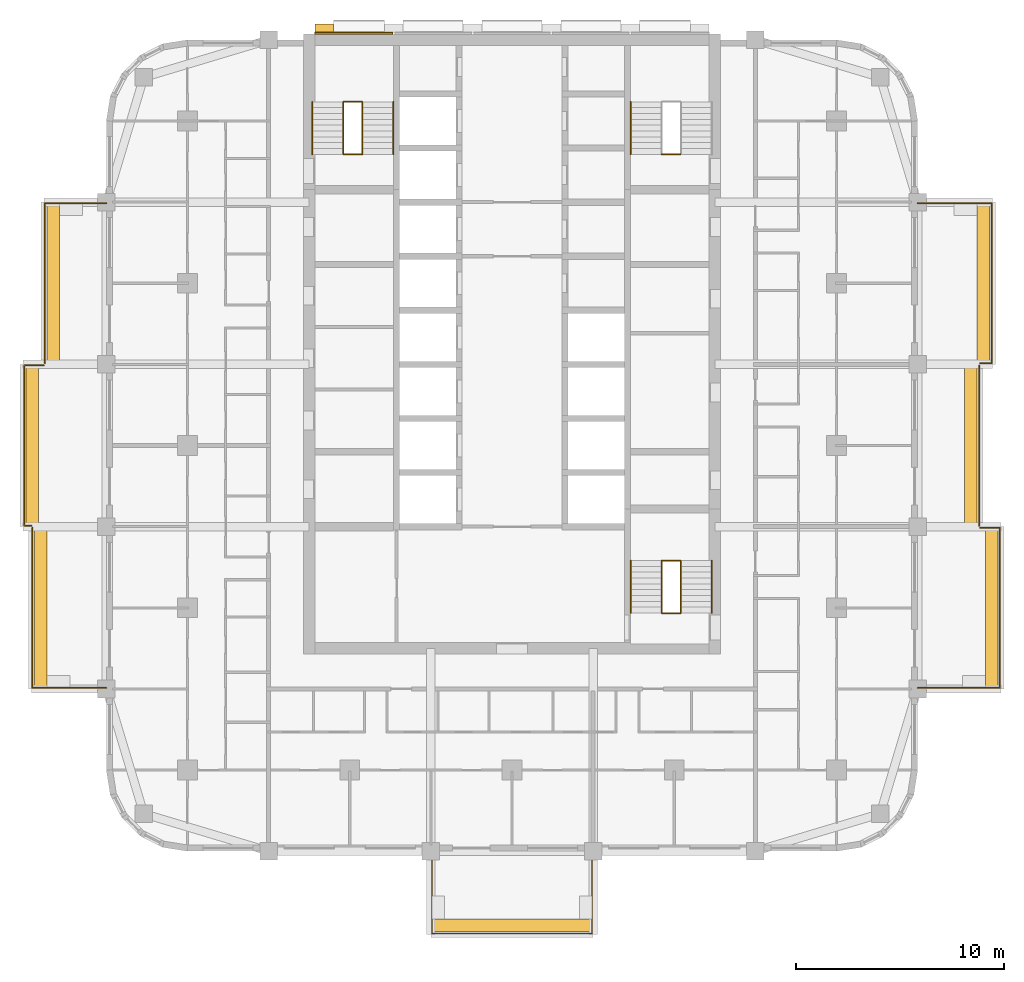
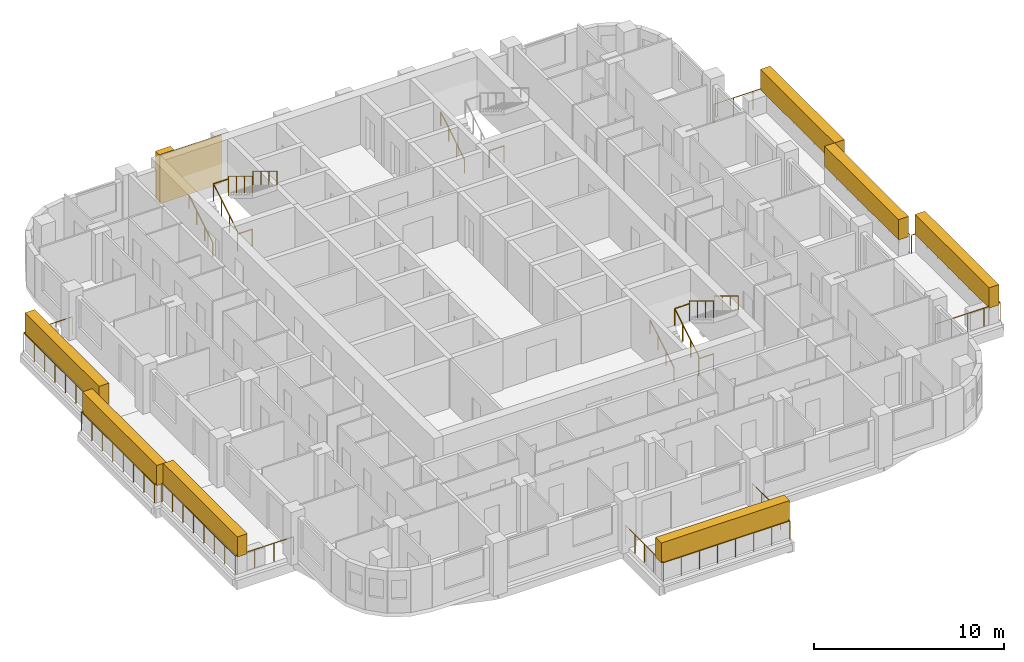
# One storey, part 13 of 14: 21 railings, 9 coverings, 3 elements without a shape of their own.
"""IFC4 building model written with IfcOpenShell, lengths in metres."""

import ifcopenshell
import ifcopenshell.guid

model = None  # the IFC model being written
_history = None  # IfcOwnerHistory: only IFC2X3 demands one
_inside = {}  # id of a spatial element -> (the spatial element, [elements in it])
_under = {}  # id of a project, library or spatial element -> (it, [spatial elements below it])
_declared = {}  # id of a project -> (the project, [libraries it declares])
_typed = {}  # id of a type object -> (the type object, [elements of that type])
_made_of = {}  # id of a material, layer set ... -> (it, [elements and type objects made of it])


def new_model(schema):
    """Start an empty IFC model of exactly this schema.

    Asked for "IFC4X3", IfcOpenShell would pick the latest addendum, in which some entities
    have other attributes; the version numbers below select the first issue.
    IFC2X3 requires an IfcOwnerHistory on every rooted entity: one is made here for all.
    """
    global model, _history
    if schema == "IFC4X3":
        model = ifcopenshell.file(schema_version=(4, 3, 0, 0))
    else:
        model = ifcopenshell.file(schema=schema)
    _inside.clear()
    _under.clear()
    _declared.clear()
    _typed.clear()
    _made_of.clear()
    _history = None
    if model.schema == "IFC2X3":
        org = make("IfcOrganization", Name="unknown")
        user = make(
            "IfcPersonAndOrganization",
            ThePerson=make("IfcPerson", FamilyName="unknown"),
            TheOrganization=org,
        )
        app = make(
            "IfcApplication",
            ApplicationDeveloper=org,
            Version="unknown",
            ApplicationFullName="unknown",
            ApplicationIdentifier="unknown",
        )
        _history = make(
            "IfcOwnerHistory",
            OwningUser=user,
            OwningApplication=app,
            ChangeAction="ADDED",
            CreationDate=0,
        )
    return model


def make(cls, **values):
    """One entity of the class cls with the attributes given. An attribute that is None is left unset."""
    return model.create_entity(
        cls, **{name: value for name, value in values.items() if value is not None}
    )


def rooted(cls, **values):
    """An entity with a GlobalId (a new one), such as an element, a storey or a relation."""
    return make(cls, GlobalId=ifcopenshell.guid.new(), OwnerHistory=_history, **values)


def si_unit(unit_type, name, prefix=None):
    """IfcSIUnit, for example si_unit("LENGTHUNIT", "METRE", prefix="MILLI")."""
    return make("IfcSIUnit", UnitType=unit_type, Prefix=prefix, Name=name)


def assignment(units):
    """IfcUnitAssignment: the units of a project."""
    return None if units is None else make("IfcUnitAssignment", Units=units)


def point(xyz):
    """IfcCartesianPoint."""
    return None if xyz is None else make("IfcCartesianPoint", Coordinates=xyz)


def direction(xyz):
    """IfcDirection."""
    return None if xyz is None else make("IfcDirection", DirectionRatios=xyz)


def frame(location, z_axis=None, x_axis=None):
    """IfcAxis2Placement3D, a coordinate frame: its origin and axes. An axis left out is left unset."""
    return make(
        "IfcAxis2Placement3D",
        Location=point(location),
        Axis=direction(z_axis),
        RefDirection=direction(x_axis),
    )


def frame_2d(location, x_axis=None):
    """IfcAxis2Placement2D, a coordinate frame in the plane: its origin and x axis."""
    return make(
        "IfcAxis2Placement2D", Location=point(location), RefDirection=direction(x_axis)
    )


def origin():
    """The frame at (0, 0, 0) with its axes left unset."""
    return frame((0.0, 0.0, 0.0))


def origin_2d():
    """The frame at (0, 0) in the plane with its x axis left unset."""
    return frame_2d((0.0, 0.0))


def place(relative_to, where):
    """IfcLocalPlacement: puts the frame where relative to a parent placement (None: the world)."""
    return make(
        "IfcLocalPlacement", PlacementRelTo=relative_to, RelativePlacement=where
    )


def context(
    kind, dimensions, precision=None, world=None, true_north=None, identifier=None
):
    """IfcGeometricRepresentationContext, for example the 3D "Model" context."""
    return make(
        "IfcGeometricRepresentationContext",
        ContextIdentifier=identifier,
        ContextType=kind,
        CoordinateSpaceDimension=dimensions,
        Precision=precision,
        WorldCoordinateSystem=world,
        TrueNorth=true_north,
    )


def subcontext(parent, identifier, kind, view, scale=None):
    """IfcGeometricRepresentationSubContext, for example "Body" below "Model"."""
    return make(
        "IfcGeometricRepresentationSubContext",
        ContextIdentifier=identifier,
        ContextType=kind,
        ParentContext=parent,
        TargetScale=scale,
        TargetView=view,
    )


def project(units=None, contexts=None):
    """IfcProject with its units and contexts."""
    return rooted(
        "IfcProject",
        Name="project",
        RepresentationContexts=contexts,
        UnitsInContext=assignment(units),
    )


def spatial(cls, under=None, at=None, **own):
    """A site, building, storey or space (cls), placed at a placement, below another one or the project."""
    s = rooted(cls, ObjectPlacement=at, **own)
    if under is not None:
        _under.setdefault(under.id(), (under, []))[1].append(s)
    return s


def profile(cls, at=None, kind="AREA", **sizes):
    """A parametric profile (cls). Its sizes go by their IFC names, for example OverallWidth=200.0."""
    return make(cls, ProfileType=kind, Position=at, **sizes)


def rectangle(**sizes):
    """IfcRectangleProfileDef."""
    return profile("IfcRectangleProfileDef", **sizes)


def circle(**sizes):
    """IfcCircleProfileDef."""
    return profile("IfcCircleProfileDef", **sizes)


def extrude(swept, where, along, depth):
    """IfcExtrudedAreaSolid: the profile swept, set in the frame where, extruded along a direction by depth."""
    return make(
        "IfcExtrudedAreaSolid",
        SweptArea=swept,
        Position=where,
        ExtrudedDirection=direction(along),
        Depth=depth,
    )


def shape(context_of_items, identifier, shape_type, items):
    """IfcShapeRepresentation: the items that make up one representation, for example the "Body"."""
    return make(
        "IfcShapeRepresentation",
        ContextOfItems=context_of_items,
        RepresentationIdentifier=identifier,
        RepresentationType=shape_type,
        Items=items,
    )


def material(Name=None, Category=None):
    """IfcMaterial."""
    return make("IfcMaterial", Name=Name, Category=Category)


def layer(
    of_material, thickness, ventilated=None, Name=None, Category=None, Priority=None
):
    """IfcMaterialLayer: one layer of a wall or slab, of a material (None: an air gap)."""
    return make(
        "IfcMaterialLayer",
        Material=of_material,
        LayerThickness=thickness,
        IsVentilated=ventilated,
        Name=Name,
        Category=Category,
        Priority=Priority,
    )


def layer_set(layers, Name=None):
    """IfcMaterialLayerSet."""
    return make("IfcMaterialLayerSet", MaterialLayers=layers, LayerSetName=Name)


def made_of(thing, what):
    """Note that an element or type object is made of a material, layer set ...; save() writes the relation."""
    if what is not None:
        _made_of.setdefault(what.id(), (what, []))[1].append(thing)
    return thing


def type_object(cls, material=None, **own):
    """A type object (cls), such as IfcWallType, which elements share."""
    return made_of(rooted(cls, **own), material)


def element(
    cls,
    number,
    at=None,
    inside=None,
    cuts=None,
    type_object=None,
    material=None,
    context=None,
    identifier="Body",
    shape_type=None,
    held_by="IfcProductDefinitionShape",
    body=None,
    shapes=None,
    **own,
):
    """One element of the class cls, such as IfcWall. Its Tag is "e" and its number.

    at: its placement. inside: the storey or other place that contains it. cuts: it is an
    opening in that element (IfcRelVoidsElement). A single representation is given by context,
    identifier, shape_type and body (its items); several are given by shapes. held_by: the class
    of the entity that holds the representations. save() writes the other relations.
    """
    e = rooted(cls, Tag="e%d" % number, ObjectPlacement=at, **own)
    if body is not None:
        shapes = [shape(context, identifier, shape_type, body)]
    if shapes is not None:
        e.Representation = make(held_by, Representations=shapes)
    if inside is not None:
        _inside.setdefault(inside.id(), (inside, []))[1].append(e)
    if cuts is not None:
        rooted(
            "IfcRelVoidsElement", RelatingBuildingElement=cuts, RelatedOpeningElement=e
        )
    if type_object is not None:
        _typed.setdefault(type_object.id(), (type_object, []))[1].append(e)
    return made_of(e, material)


def aggregate(whole, parts):
    """IfcRelAggregates: a whole, such as a stair, and the parts it consists of."""
    return rooted("IfcRelAggregates", RelatingObject=whole, RelatedObjects=parts)


def save(model, path):
    """Write the relations noted so far, then the file.

    IfcRelAggregates (storeys below a building ...), IfcRelContainedInSpatialStructure (elements
    in a storey), IfcRelDefinesByType, IfcRelAssociatesMaterial and IfcRelDeclares: one each for
    every whole, place, type object, material and project.
    """
    for whole, parts in _under.values():
        aggregate(whole, parts)
    for where, things in _inside.values():
        rooted(
            "IfcRelContainedInSpatialStructure",
            RelatedElements=things,
            RelatingStructure=where,
        )
    for kind, things in _typed.values():
        rooted("IfcRelDefinesByType", RelatedObjects=things, RelatingType=kind)
    for what, things in _made_of.values():
        rooted("IfcRelAssociatesMaterial", RelatedObjects=things, RelatingMaterial=what)
    for by, libraries in _declared.values():
        rooted("IfcRelDeclares", RelatingContext=by, RelatedDefinitions=libraries)
    model.write(path)


model = new_model("IFC4")

# Units and contexts
model_context = context("Model", 3, precision=1e-05, world=origin(), true_north=direction((0.0, 1.0)))
body_context = subcontext(model_context, "Body", "Model", "MODEL_VIEW")
ifc_project = project(units=[si_unit("LENGTHUNIT", "METRE"), si_unit("AREAUNIT", "SQUARE_METRE"), si_unit("VOLUMEUNIT", "CUBIC_METRE"), si_unit("PLANEANGLEUNIT", "RADIAN"), si_unit("MASSUNIT", "GRAM", prefix="KILO")], contexts=[model_context])

# Site, building, storey
site_placement = place(None, origin())
site = spatial("IfcSite", under=ifc_project, at=site_placement, CompositionType="ELEMENT")
building_placement = place(site_placement, origin())
building = spatial("IfcBuilding", under=site, at=building_placement, Name="Ludao Terraces", CompositionType="ELEMENT")
storey_placement = place(building_placement, frame((0.0, 0.0, 103.300048828125)))
storey = spatial("IfcBuildingStorey", under=building, at=storey_placement, Name="L28", CompositionType="ELEMENT", Elevation=103.300048828125)

# Railings
ifc_material_1 = material(Name="Stainless steel 304", Category="steel")
railing_type_1 = type_object("IfcRailingType", Name="ENV Balcony glass guard 1200", PredefinedType="GUARDRAIL", material=ifc_material_1)
railing_1_placement = place(storey_placement, frame((81.14990234375, 45.5, 0.0)))
element("IfcRailing", 1, at=railing_1_placement, inside=storey, type_object=railing_type_1, Name="Balcony guard L28 S1", PredefinedType="GUARDRAIL", context=body_context, shape_type="SweptSolid", body=[
    extrude(circle(Radius=0.02392578125, at=origin_2d()), frame((0.0, 0.0, 1.17578125), z_axis=(0.0, -1.0, 0.0), x_axis=(1.0, 0.0, 0.0)), (0.0, 0.0, 1.0), 3.949951171875),
    extrude(circle(Radius=0.02392578125, at=origin_2d()), frame((0.0, -3.949951171875, 1.17578125), z_axis=(1.0, 0.0, 0.0), x_axis=(0.0, 1.0, 0.0)), (0.0, 0.0, 1.0), 7.7001953125),
    extrude(circle(Radius=0.02392578125, at=origin_2d()), frame((7.7001953125, -3.949951171875, 1.17578125), z_axis=(0.0, 1.0, 0.0), x_axis=(-1.0, 0.0, 0.0)), (0.0, 0.0, 1.0), 3.949951171875),
    extrude(circle(Radius=0.02099609375, at=origin_2d()), origin(), (0.0, 0.0, 1.0), 1.15185546875),
    extrude(circle(Radius=0.02099609375, at=origin_2d()), frame((0.0, -0.987548828125, 0.0)), (0.0, 0.0, 1.0), 1.15185546875),
    extrude(circle(Radius=0.02099609375, at=origin_2d()), frame((0.0, -1.97509765625, 0.0)), (0.0, 0.0, 1.0), 1.15185546875),
    extrude(circle(Radius=0.02099609375, at=origin_2d()), frame((0.0, -2.96240234375, 0.0)), (0.0, 0.0, 1.0), 1.15185546875),
    extrude(circle(Radius=0.02099609375, at=origin_2d()), frame((0.0, -3.949951171875, 0.0)), (0.0, 0.0, 1.0), 1.15185546875),
    extrude(circle(Radius=0.02099609375, at=origin_2d()), frame((1.10009765625, -3.949951171875, 0.0)), (0.0, 0.0, 1.0), 1.15185546875),
    extrude(circle(Radius=0.02099609375, at=origin_2d()), frame((2.199951171875, -3.949951171875, 0.0)), (0.0, 0.0, 1.0), 1.15185546875),
    extrude(circle(Radius=0.02099609375, at=origin_2d()), frame((3.300048828125, -3.949951171875, 0.0)), (0.0, 0.0, 1.0), 1.15185546875),
    extrude(circle(Radius=0.02099609375, at=origin_2d()), frame((4.400146484375, -3.949951171875, 0.0)), (0.0, 0.0, 1.0), 1.15185546875),
    extrude(circle(Radius=0.02099609375, at=origin_2d()), frame((5.500244140625, -3.949951171875, 0.0)), (0.0, 0.0, 1.0), 1.15185546875),
    extrude(circle(Radius=0.02099609375, at=origin_2d()), frame((6.60009765625, -3.949951171875, 0.0)), (0.0, 0.0, 1.0), 1.15185546875),
    extrude(circle(Radius=0.02099609375, at=origin_2d()), frame((7.7001953125, -3.949951171875, 0.0)), (0.0, 0.0, 1.0), 1.15185546875),
    extrude(circle(Radius=0.02099609375, at=origin_2d()), frame((7.7001953125, -2.96240234375, 0.0)), (0.0, 0.0, 1.0), 1.15185546875),
    extrude(circle(Radius=0.02099609375, at=origin_2d()), frame((7.7001953125, -1.97509765625, 0.0)), (0.0, 0.0, 1.0), 1.15185546875),
    extrude(circle(Radius=0.02099609375, at=origin_2d()), frame((7.7001953125, -0.987548828125, 0.0)), (0.0, 0.0, 1.0), 1.15185546875),
    extrude(circle(Radius=0.02099609375, at=origin_2d()), frame((7.7001953125, 0.0, 0.0)), (0.0, 0.0, 1.0), 1.15185546875),
])
railing_2_placement = place(storey_placement, frame((104.5, 53.35009765625, 0.0)))
element("IfcRailing", 2, at=railing_2_placement, inside=storey, type_object=railing_type_1, Name="Balcony guard L28 E1", PredefinedType="GUARDRAIL", context=body_context, shape_type="SweptSolid", body=[
    extrude(circle(Radius=0.02392578125, at=origin_2d()), frame((0.0, 0.0, 1.17578125), z_axis=(1.0, 0.0, 0.0), x_axis=(0.0, 1.0, 0.0)), (0.0, 0.0, 1.0), 3.949951171875),
    extrude(circle(Radius=0.02392578125, at=origin_2d()), frame((3.949951171875, 0.0, 1.17578125), z_axis=(0.0, 1.0, 0.0), x_axis=(-1.0, 0.0, 0.0)), (0.0, 0.0, 1.0), 7.699951171875),
    extrude(circle(Radius=0.02392578125, at=origin_2d()), frame((3.949951171875, 7.699951171875, 1.17578125), z_axis=(-1.0, 0.0, 0.0), x_axis=(0.0, -1.0, 0.0)), (0.0, 0.0, 1.0), 0.949951171875),
    extrude(circle(Radius=0.02099609375, at=origin_2d()), origin(), (0.0, 0.0, 1.0), 1.15185546875),
    extrude(circle(Radius=0.02099609375, at=origin_2d()), frame((0.987548828125, 0.0, 0.0)), (0.0, 0.0, 1.0), 1.15185546875),
    extrude(circle(Radius=0.02099609375, at=origin_2d()), frame((1.97509765625, 0.0, 0.0)), (0.0, 0.0, 1.0), 1.15185546875),
    extrude(circle(Radius=0.02099609375, at=origin_2d()), frame((2.96240234375, 0.0, 0.0)), (0.0, 0.0, 1.0), 1.15185546875),
    extrude(circle(Radius=0.02099609375, at=origin_2d()), frame((3.949951171875, 0.0, 0.0)), (0.0, 0.0, 1.0), 1.15185546875),
    extrude(circle(Radius=0.02099609375, at=origin_2d()), frame((3.949951171875, 1.10009765625, 0.0)), (0.0, 0.0, 1.0), 1.15185546875),
    extrude(circle(Radius=0.02099609375, at=origin_2d()), frame((3.949951171875, 2.199951171875, 0.0)), (0.0, 0.0, 1.0), 1.15185546875),
    extrude(circle(Radius=0.02099609375, at=origin_2d()), frame((3.949951171875, 3.300048828125, 0.0)), (0.0, 0.0, 1.0), 1.15185546875),
    extrude(circle(Radius=0.02099609375, at=origin_2d()), frame((3.949951171875, 4.39990234375, 0.0)), (0.0, 0.0, 1.0), 1.15185546875),
    extrude(circle(Radius=0.02099609375, at=origin_2d()), frame((3.949951171875, 5.5, 0.0)), (0.0, 0.0, 1.0), 1.15185546875),
    extrude(circle(Radius=0.02099609375, at=origin_2d()), frame((3.949951171875, 6.599853515625, 0.0)), (0.0, 0.0, 1.0), 1.15185546875),
    extrude(circle(Radius=0.02099609375, at=origin_2d()), frame((3.949951171875, 7.699951171875, 0.0)), (0.0, 0.0, 1.0), 1.15185546875),
    extrude(circle(Radius=0.02099609375, at=origin_2d()), frame((3.0, 7.699951171875, 0.0)), (0.0, 0.0, 1.0), 1.15185546875),
])
railing_3_placement = place(storey_placement, frame((107.449951171875, 61.14990234375, 0.0)))
element("IfcRailing", 3, at=railing_3_placement, inside=storey, type_object=railing_type_1, Name="Balcony guard L28 E2", PredefinedType="GUARDRAIL", context=body_context, shape_type="SweptSolid", body=[
    extrude(circle(Radius=0.02392578125, at=origin_2d()), frame((0.0, 0.0, 1.17578125), z_axis=(0.0, 1.0, 0.0), x_axis=(-1.0, 0.0, 0.0)), (0.0, 0.0, 1.0), 7.7001953125),
    extrude(circle(Radius=0.02099609375, at=origin_2d()), origin(), (0.0, 0.0, 1.0), 1.15185546875),
    extrude(circle(Radius=0.02099609375, at=origin_2d()), frame((0.0, 1.10009765625, 0.0)), (0.0, 0.0, 1.0), 1.15185546875),
    extrude(circle(Radius=0.02099609375, at=origin_2d()), frame((0.0, 2.199951171875, 0.0)), (0.0, 0.0, 1.0), 1.15185546875),
    extrude(circle(Radius=0.02099609375, at=origin_2d()), frame((0.0, 3.300048828125, 0.0)), (0.0, 0.0, 1.0), 1.15185546875),
    extrude(circle(Radius=0.02099609375, at=origin_2d()), frame((0.0, 4.400146484375, 0.0)), (0.0, 0.0, 1.0), 1.15185546875),
    extrude(circle(Radius=0.02099609375, at=origin_2d()), frame((0.0, 5.500244140625, 0.0)), (0.0, 0.0, 1.0), 1.15185546875),
    extrude(circle(Radius=0.02099609375, at=origin_2d()), frame((0.0, 6.60009765625, 0.0)), (0.0, 0.0, 1.0), 1.15185546875),
    extrude(circle(Radius=0.02099609375, at=origin_2d()), frame((0.0, 7.7001953125, 0.0)), (0.0, 0.0, 1.0), 1.15185546875),
])
railing_4_placement = place(storey_placement, frame((107.5, 68.949951171875, 0.0)))
element("IfcRailing", 4, at=railing_4_placement, inside=storey, type_object=railing_type_1, Name="Balcony guard L28 E3", PredefinedType="GUARDRAIL", context=body_context, shape_type="SweptSolid", body=[
    extrude(circle(Radius=0.02392578125, at=origin_2d()), frame((0.0, 0.0, 1.17578125), z_axis=(1.0, 0.0, 0.0), x_axis=(0.0, 1.0, 0.0)), (0.0, 0.0, 1.0), 0.550048828125),
    extrude(circle(Radius=0.02392578125, at=origin_2d()), frame((0.550048828125, 0.0, 1.17578125), z_axis=(0.0, 1.0, 0.0), x_axis=(-1.0, 0.0, 0.0)), (0.0, 0.0, 1.0), 7.699951171875),
    extrude(circle(Radius=0.02392578125, at=origin_2d()), frame((0.550048828125, 7.699951171875, 1.17578125), z_axis=(-1.0, 0.0, 0.0), x_axis=(0.0, -1.0, 0.0)), (0.0, 0.0, 1.0), 3.550048828125),
    extrude(circle(Radius=0.02099609375, at=origin_2d()), origin(), (0.0, 0.0, 1.0), 1.15185546875),
    extrude(circle(Radius=0.02099609375, at=origin_2d()), frame((0.550048828125, 0.0, 0.0)), (0.0, 0.0, 1.0), 1.15185546875),
    extrude(circle(Radius=0.02099609375, at=origin_2d()), frame((0.550048828125, 1.10009765625, 0.0)), (0.0, 0.0, 1.0), 1.15185546875),
    extrude(circle(Radius=0.02099609375, at=origin_2d()), frame((0.550048828125, 2.199951171875, 0.0)), (0.0, 0.0, 1.0), 1.15185546875),
    extrude(circle(Radius=0.02099609375, at=origin_2d()), frame((0.550048828125, 3.300048828125, 0.0)), (0.0, 0.0, 1.0), 1.15185546875),
    extrude(circle(Radius=0.02099609375, at=origin_2d()), frame((0.550048828125, 4.39990234375, 0.0)), (0.0, 0.0, 1.0), 1.15185546875),
    extrude(circle(Radius=0.02099609375, at=origin_2d()), frame((0.550048828125, 5.5, 0.0)), (0.0, 0.0, 1.0), 1.15185546875),
    extrude(circle(Radius=0.02099609375, at=origin_2d()), frame((0.550048828125, 6.599853515625, 0.0)), (0.0, 0.0, 1.0), 1.15185546875),
    extrude(circle(Radius=0.02099609375, at=origin_2d()), frame((0.550048828125, 7.699951171875, 0.0)), (0.0, 0.0, 1.0), 1.15185546875),
    extrude(circle(Radius=0.02099609375, at=origin_2d()), frame((-0.63330078125, 7.699951171875, 0.0)), (0.0, 0.0, 1.0), 1.15185546875),
    extrude(circle(Radius=0.02099609375, at=origin_2d()), frame((-1.816650390625, 7.699951171875, 0.0)), (0.0, 0.0, 1.0), 1.15185546875),
    extrude(circle(Radius=0.02099609375, at=origin_2d()), frame((-3.0, 7.699951171875, 0.0)), (0.0, 0.0, 1.0), 1.15185546875),
])
railing_5_placement = place(storey_placement, frame((65.5, 53.35009765625, 0.0)))
element("IfcRailing", 5, at=railing_5_placement, inside=storey, type_object=railing_type_1, Name="Balcony guard L28 W1", PredefinedType="GUARDRAIL", context=body_context, shape_type="SweptSolid", body=[
    extrude(circle(Radius=0.02392578125, at=origin_2d()), frame((0.0, 0.0, 1.17578125), z_axis=(-1.0, 0.0, 0.0), x_axis=(0.0, -1.0, 0.0)), (0.0, 0.0, 1.0), 3.550048828125),
    extrude(circle(Radius=0.02392578125, at=origin_2d()), frame((-3.550048828125, 0.0, 1.17578125), z_axis=(0.0, 1.0, 0.0), x_axis=(-1.0, 0.0, 0.0)), (0.0, 0.0, 1.0), 7.699951171875),
    extrude(circle(Radius=0.02099609375, at=origin_2d()), origin(), (0.0, 0.0, 1.0), 1.15185546875),
    extrude(circle(Radius=0.02099609375, at=origin_2d()), frame((-1.183349609375, 0.0, 0.0)), (0.0, 0.0, 1.0), 1.15185546875),
    extrude(circle(Radius=0.02099609375, at=origin_2d()), frame((-2.36669921875, 0.0, 0.0)), (0.0, 0.0, 1.0), 1.15185546875),
    extrude(circle(Radius=0.02099609375, at=origin_2d()), frame((-3.550048828125, 0.0, 0.0)), (0.0, 0.0, 1.0), 1.15185546875),
    extrude(circle(Radius=0.02099609375, at=origin_2d()), frame((-3.550048828125, 1.10009765625, 0.0)), (0.0, 0.0, 1.0), 1.15185546875),
    extrude(circle(Radius=0.02099609375, at=origin_2d()), frame((-3.550048828125, 2.199951171875, 0.0)), (0.0, 0.0, 1.0), 1.15185546875),
    extrude(circle(Radius=0.02099609375, at=origin_2d()), frame((-3.550048828125, 3.300048828125, 0.0)), (0.0, 0.0, 1.0), 1.15185546875),
    extrude(circle(Radius=0.02099609375, at=origin_2d()), frame((-3.550048828125, 4.39990234375, 0.0)), (0.0, 0.0, 1.0), 1.15185546875),
    extrude(circle(Radius=0.02099609375, at=origin_2d()), frame((-3.550048828125, 5.5, 0.0)), (0.0, 0.0, 1.0), 1.15185546875),
    extrude(circle(Radius=0.02099609375, at=origin_2d()), frame((-3.550048828125, 6.599853515625, 0.0)), (0.0, 0.0, 1.0), 1.15185546875),
    extrude(circle(Radius=0.02099609375, at=origin_2d()), frame((-3.550048828125, 7.699951171875, 0.0)), (0.0, 0.0, 1.0), 1.15185546875),
])
railing_6_placement = place(storey_placement, frame((61.89990234375, 61.14990234375, 0.0)))
element("IfcRailing", 6, at=railing_6_placement, inside=storey, type_object=railing_type_1, Name="Balcony guard L28 W2", PredefinedType="GUARDRAIL", context=body_context, shape_type="SweptSolid", body=[
    extrude(circle(Radius=0.02392578125, at=origin_2d()), frame((0.0, 0.0, 1.17578125), z_axis=(-1.0, 0.0, 0.0), x_axis=(0.0, -1.0, 0.0)), (0.0, 0.0, 1.0), 0.349853515625),
    extrude(circle(Radius=0.02392578125, at=origin_2d()), frame((-0.349853515625, 0.0, 1.17578125), z_axis=(0.0, 1.0, 0.0), x_axis=(-1.0, 0.0, 0.0)), (0.0, 0.0, 1.0), 7.7001953125),
    extrude(circle(Radius=0.02392578125, at=origin_2d()), frame((-0.349853515625, 7.7001953125, 1.17578125), z_axis=(1.0, 0.0, 0.0), x_axis=(0.0, 1.0, 0.0)), (0.0, 0.0, 1.0), 0.949951171875),
    extrude(circle(Radius=0.02099609375, at=origin_2d()), origin(), (0.0, 0.0, 1.0), 1.15185546875),
    extrude(circle(Radius=0.02099609375, at=origin_2d()), frame((-0.349853515625, 0.0, 0.0)), (0.0, 0.0, 1.0), 1.15185546875),
    extrude(circle(Radius=0.02099609375, at=origin_2d()), frame((-0.349853515625, 1.10009765625, 0.0)), (0.0, 0.0, 1.0), 1.15185546875),
    extrude(circle(Radius=0.02099609375, at=origin_2d()), frame((-0.349853515625, 2.199951171875, 0.0)), (0.0, 0.0, 1.0), 1.15185546875),
    extrude(circle(Radius=0.02099609375, at=origin_2d()), frame((-0.349853515625, 3.300048828125, 0.0)), (0.0, 0.0, 1.0), 1.15185546875),
    extrude(circle(Radius=0.02099609375, at=origin_2d()), frame((-0.349853515625, 4.400146484375, 0.0)), (0.0, 0.0, 1.0), 1.15185546875),
    extrude(circle(Radius=0.02099609375, at=origin_2d()), frame((-0.349853515625, 5.500244140625, 0.0)), (0.0, 0.0, 1.0), 1.15185546875),
    extrude(circle(Radius=0.02099609375, at=origin_2d()), frame((-0.349853515625, 6.60009765625, 0.0)), (0.0, 0.0, 1.0), 1.15185546875),
    extrude(circle(Radius=0.02099609375, at=origin_2d()), frame((-0.349853515625, 7.7001953125, 0.0)), (0.0, 0.0, 1.0), 1.15185546875),
    extrude(circle(Radius=0.02099609375, at=origin_2d()), frame((0.60009765625, 7.7001953125, 0.0)), (0.0, 0.0, 1.0), 1.15185546875),
])
railing_7_placement = place(storey_placement, frame((62.550048828125, 68.949951171875, 0.0)))
element("IfcRailing", 7, at=railing_7_placement, inside=storey, type_object=railing_type_1, Name="Balcony guard L28 W3", PredefinedType="GUARDRAIL", context=body_context, shape_type="SweptSolid", body=[
    extrude(circle(Radius=0.02392578125, at=origin_2d()), frame((0.0, 0.0, 1.17578125), z_axis=(0.0, 1.0, 0.0), x_axis=(-1.0, 0.0, 0.0)), (0.0, 0.0, 1.0), 7.699951171875),
    extrude(circle(Radius=0.02392578125, at=origin_2d()), frame((0.0, 7.699951171875, 1.17578125), z_axis=(1.0, 0.0, 0.0), x_axis=(0.0, 1.0, 0.0)), (0.0, 0.0, 1.0), 2.949951171875),
    extrude(circle(Radius=0.02099609375, at=origin_2d()), origin(), (0.0, 0.0, 1.0), 1.15185546875),
    extrude(circle(Radius=0.02099609375, at=origin_2d()), frame((0.0, 1.10009765625, 0.0)), (0.0, 0.0, 1.0), 1.15185546875),
    extrude(circle(Radius=0.02099609375, at=origin_2d()), frame((0.0, 2.199951171875, 0.0)), (0.0, 0.0, 1.0), 1.15185546875),
    extrude(circle(Radius=0.02099609375, at=origin_2d()), frame((0.0, 3.300048828125, 0.0)), (0.0, 0.0, 1.0), 1.15185546875),
    extrude(circle(Radius=0.02099609375, at=origin_2d()), frame((0.0, 4.39990234375, 0.0)), (0.0, 0.0, 1.0), 1.15185546875),
    extrude(circle(Radius=0.02099609375, at=origin_2d()), frame((0.0, 5.5, 0.0)), (0.0, 0.0, 1.0), 1.15185546875),
    extrude(circle(Radius=0.02099609375, at=origin_2d()), frame((0.0, 6.599853515625, 0.0)), (0.0, 0.0, 1.0), 1.15185546875),
    extrude(circle(Radius=0.02099609375, at=origin_2d()), frame((0.0, 7.699951171875, 0.0)), (0.0, 0.0, 1.0), 1.15185546875),
    extrude(circle(Radius=0.02099609375, at=origin_2d()), frame((0.9833984375, 7.699951171875, 0.0)), (0.0, 0.0, 1.0), 1.15185546875),
    extrude(circle(Radius=0.02099609375, at=origin_2d()), frame((1.966552734375, 7.699951171875, 0.0)), (0.0, 0.0, 1.0), 1.15185546875),
    extrude(circle(Radius=0.02099609375, at=origin_2d()), frame((2.949951171875, 7.699951171875, 0.0)), (0.0, 0.0, 1.0), 1.15185546875),
])

# Coverings
ifc_material_2 = material(Name="Granite cladding", Category="masonry")
ifc_layer_1 = layer(ifc_material_2, 0.39990234375)
ifc_layer_set_1 = layer_set([ifc_layer_1], Name="ENV Core pilaster stone 400")
covering_type_1 = type_object("IfcCoveringType", Name="ENV Core pilaster stone 400", PredefinedType="CLADDING", material=ifc_layer_set_1)
covering_1_placement = place(storey_placement, frame((75.97509765625, 85.054931640625, 0.0), z_axis=(0.0, 0.0, 1.0), x_axis=(1.0, 0.0, 0.0)))
element("IfcCovering", 8, at=covering_1_placement, inside=storey, type_object=covering_type_1, Name="CC-L28-PIL1", PredefinedType="CLADDING", context=body_context, shape_type="SweptSolid", body=[
    extrude(rectangle(XDim=0.89990234375, YDim=0.39990234375, at=origin_2d()), origin(), (0.0, 0.0, 1.0), 3.10009765625),
])
ifc_layer_2 = layer(ifc_material_2, 0.080078125)
ifc_layer_set_2 = layer_set([ifc_layer_2], Name="ENV Core stone cladding panel 80")
covering_type_2 = type_object("IfcCoveringType", Name="ENV Core stone cladding panel 80", PredefinedType="CLADDING", material=ifc_layer_set_2)
covering_2_placement = place(storey_placement, frame((77.39501953125, 84.81494140625, 0.0), z_axis=(0.0, 0.0, 1.0), x_axis=(1.0, 0.0, 0.0)))
element("IfcCovering", 9, at=covering_2_placement, inside=storey, type_object=covering_type_2, Name="CC-L28-CORE1", PredefinedType="CLADDING", context=body_context, shape_type="SweptSolid", body=[
    extrude(rectangle(XDim=3.739990234375, YDim=0.080078125, at=origin_2d()), origin(), (0.0, 0.0, 1.0), 3.10009765625),
])
ifc_material_3 = material(Name="Planting")
ifc_layer_3 = layer(ifc_material_3, 0.60009765625)
ifc_layer_set_3 = layer_set([ifc_layer_3], Name="ENV Planting hedge 600x1300")
covering_type_3 = type_object("IfcCoveringType", Name="ENV Planting hedge 600x1300", PredefinedType="USERDEFINED", material=ifc_layer_set_3)
covering_3_placement = place(storey_placement, frame((85.0, 41.949951171875, 1.10009765625), z_axis=(0.0, 0.0, 1.0), x_axis=(1.0, 0.0, 0.0)))
element("IfcCovering", 10, at=covering_3_placement, inside=storey, type_object=covering_type_3, Name="Planting hedge L28-S1", ObjectType="PLANTING", PredefinedType="USERDEFINED", context=body_context, shape_type="SweptSolid", body=[
    extrude(rectangle(XDim=7.800048828125, YDim=0.60009765625, at=origin_2d()), origin(), (0.0, 0.0, 1.0), 1.300048828125),
])
for number, where, z_axis, x_axis, name in (
    (11, (108.050048828125, 57.199951171875, 1.10009765625), (0.0, 0.0, 1.0), (1.0, 0.0, 0.0), "Planting hedge L28-E1"),
    (12, (107.050048828125, 65.0, 1.10009765625), (0.0, 0.0, 1.0), (1.0, 0.0, 0.0), "Planting hedge L28-E2"),
    (13, (107.64990234375, 72.800048828125, 1.10009765625), (0.0, 0.0, 1.0), (1.0, 0.0, 0.0), "Planting hedge L28-E3"),
    (14, (62.35009765625, 57.199951171875, 1.10009765625), (0.0, 0.0, 1.0), (1.0, 0.0, 0.0), "Planting hedge L28-W1"),
    (15, (61.949951171875, 65.0, 1.10009765625), (0.0, 0.0, 1.0), (1.0, 0.0, 0.0), "Planting hedge L28-W2"),
    (16, (62.949951171875, 72.800048828125, 1.10009765625), (0.0, 0.0, 1.0), (1.0, 0.0, 0.0), "Planting hedge L28-W3"),
):
    element("IfcCovering", number, at=place(storey_placement, frame(where, z_axis=z_axis, x_axis=x_axis)), inside=storey, type_object=covering_type_3, Name=name, ObjectType="PLANTING", PredefinedType="USERDEFINED", context=body_context, shape_type="SweptSolid", body=[
        extrude(rectangle(XDim=0.60009765625, YDim=7.800048828125, at=origin_2d()), origin(), (0.0, 0.0, 1.0), 1.300048828125),
    ])

# Stair, railings
ifc_material_4 = material(Name="Concrete C40", Category="concrete")
stair_type = type_object("IfcStairType", Name="INT Stair", PredefinedType="HALF_TURN_STAIR", material=ifc_material_4)
stair_1_placement = place(storey_placement, origin())
stair_1 = element("IfcStair", 17, at=stair_1_placement, inside=storey, type_object=stair_type, Name="EXIT STAIR 1", PredefinedType="HALF_TURN_STAIR")
railing_type_2 = type_object("IfcRailingType", Name="INT Stair guard 1100", PredefinedType="GUARDRAIL", material=ifc_material_1)
railing_8_placement = place(storey_placement, frame((76.89990234375, 79.0, 0.169921875)))
railing_8 = element("IfcRailing", 18, at=railing_8_placement, type_object=railing_type_2, Name="ST-L28-S1-R1G", PredefinedType="GUARDRAIL", context=body_context, shape_type="SweptSolid", body=[
    extrude(circle(Radius=0.02392578125, at=origin_2d()), frame((0.0, 0.0, 1.076171875), z_axis=(0.0, 0.85478489116, 0.518982456201), x_axis=(-1.0, 0.0, 0.0)), (0.0, 0.0, 1.0), 2.9482421875),
    extrude(circle(Radius=0.02099609375, at=origin_2d()), origin(), (0.0, 0.0, 1.0), 1.052001953125),
    extrude(circle(Radius=0.02099609375, at=origin_2d()), frame((0.0, 0.840087890625, 0.510009765625)), (0.0, 0.0, 1.0), 1.052001953125),
    extrude(circle(Radius=0.02099609375, at=origin_2d()), frame((0.0, 1.679931640625, 1.02001953125)), (0.0, 0.0, 1.0), 1.052001953125),
    extrude(circle(Radius=0.02099609375, at=origin_2d()), frame((0.0, 2.52001953125, 1.530029296875)), (0.0, 0.0, 1.0), 1.052001953125),
])
railing_9_placement = place(storey_placement, frame((77.800048828125, 81.52001953125, 1.869873046875)))
railing_9 = element("IfcRailing", 19, at=railing_9_placement, type_object=railing_type_2, Name="ST-L28-S1-R2G", PredefinedType="GUARDRAIL", context=body_context, shape_type="SweptSolid", body=[
    extrude(circle(Radius=0.02392578125, at=origin_2d()), frame((0.0, 0.0, 1.076171875), z_axis=(0.0, -0.85478489116, 0.518982456201), x_axis=(1.0, 0.0, 0.0)), (0.0, 0.0, 1.0), 2.9482421875),
    extrude(circle(Radius=0.02099609375, at=origin_2d()), origin(), (0.0, 0.0, 1.0), 1.052001953125),
    extrude(circle(Radius=0.02099609375, at=origin_2d()), frame((0.0, -0.840087890625, 0.510009765625)), (0.0, 0.0, 1.0), 1.052001953125),
    extrude(circle(Radius=0.02099609375, at=origin_2d()), frame((0.0, -1.679931640625, 1.02001953125)), (0.0, 0.0, 1.0), 1.052001953125),
    extrude(circle(Radius=0.02099609375, at=origin_2d()), frame((0.0, -2.52001953125, 1.530029296875)), (0.0, 0.0, 1.0), 1.052001953125),
])
railing_10_placement = place(storey_placement, frame((76.89990234375, 81.52001953125, 1.699951171875)))
railing_10 = element("IfcRailing", 20, at=railing_10_placement, type_object=railing_type_2, Name="ST-L28-S1-E1G", PredefinedType="GUARDRAIL", context=body_context, shape_type="SweptSolid", body=[
    extrude(circle(Radius=0.02392578125, at=origin_2d()), frame((0.0, 0.0, 1.076171875), z_axis=(1.0, 0.0, 0.0), x_axis=(0.0, 1.0, 0.0)), (0.0, 0.0, 1.0), 0.900146484375),
    extrude(circle(Radius=0.02099609375, at=origin_2d()), origin(), (0.0, 0.0, 1.0), 1.052001953125),
    extrude(circle(Radius=0.02099609375, at=origin_2d()), frame((0.900146484375, 0.0, 0.0)), (0.0, 0.0, 1.0), 1.052001953125),
])
railing_11_placement = place(storey_placement, frame((76.89990234375, 79.0, 0.0)))
railing_11 = element("IfcRailing", 21, at=railing_11_placement, type_object=railing_type_2, Name="ST-L28-S1-E2G", PredefinedType="GUARDRAIL", context=body_context, shape_type="SweptSolid", body=[
    extrude(circle(Radius=0.02392578125, at=origin_2d()), frame((0.0, 0.0, 1.076171875), z_axis=(1.0, 0.0, 0.0), x_axis=(0.0, 1.0, 0.0)), (0.0, 0.0, 1.0), 0.900146484375),
    extrude(circle(Radius=0.02099609375, at=origin_2d()), origin(), (0.0, 0.0, 1.0), 1.052001953125),
    extrude(circle(Radius=0.02099609375, at=origin_2d()), frame((0.900146484375, 0.0, 0.0)), (0.0, 0.0, 1.0), 1.052001953125),
])

# Stair, railing
stair_2_placement = place(storey_placement, origin())
stair_2 = element("IfcStair", 22, at=stair_2_placement, inside=storey, type_object=stair_type, Name="EXIT STAIR 2", PredefinedType="HALF_TURN_STAIR")
railing_12_placement = place(storey_placement, frame((92.199951171875, 79.0, 0.0)))
railing_12 = element("IfcRailing", 23, at=railing_12_placement, type_object=railing_type_2, Name="ST-L28-S2-E2G", PredefinedType="GUARDRAIL", context=body_context, shape_type="SweptSolid", body=[
    extrude(circle(Radius=0.02392578125, at=origin_2d()), frame((0.0, 0.0, 1.076171875), z_axis=(1.0, 0.0, 0.0), x_axis=(0.0, 1.0, 0.0)), (0.0, 0.0, 1.0), 0.900146484375),
    extrude(circle(Radius=0.02099609375, at=origin_2d()), origin(), (0.0, 0.0, 1.0), 1.052001953125),
    extrude(circle(Radius=0.02099609375, at=origin_2d()), frame((0.900146484375, 0.0, 0.0)), (0.0, 0.0, 1.0), 1.052001953125),
])

# Stair, railings
stair_3_placement = place(storey_placement, origin())
stair_3 = element("IfcStair", 24, at=stair_3_placement, inside=storey, type_object=stair_type, Name="EXIT STAIR 3", PredefinedType="HALF_TURN_STAIR")
railing_13_placement = place(storey_placement, frame((92.199951171875, 56.949951171875, 0.169921875)))
railing_13 = element("IfcRailing", 25, at=railing_13_placement, type_object=railing_type_2, Name="ST-L28-S3-R1G", PredefinedType="GUARDRAIL", context=body_context, shape_type="SweptSolid", body=[
    extrude(circle(Radius=0.02392578125, at=origin_2d()), frame((0.0, 0.0, 1.076171875), z_axis=(0.0, 0.85478489116, 0.518982456201), x_axis=(-1.0, 0.0, 0.0)), (0.0, 0.0, 1.0), 2.9482421875),
    extrude(circle(Radius=0.02099609375, at=origin_2d()), origin(), (0.0, 0.0, 1.0), 1.052001953125),
    extrude(circle(Radius=0.02099609375, at=origin_2d()), frame((0.0, 0.840087890625, 0.510009765625)), (0.0, 0.0, 1.0), 1.052001953125),
    extrude(circle(Radius=0.02099609375, at=origin_2d()), frame((0.0, 1.679931640625, 1.02001953125)), (0.0, 0.0, 1.0), 1.052001953125),
    extrude(circle(Radius=0.02099609375, at=origin_2d()), frame((0.0, 2.52001953125, 1.530029296875)), (0.0, 0.0, 1.0), 1.052001953125),
])
railing_14_placement = place(storey_placement, frame((93.10009765625, 59.469970703125, 1.869873046875)))
railing_14 = element("IfcRailing", 26, at=railing_14_placement, type_object=railing_type_2, Name="ST-L28-S3-R2G", PredefinedType="GUARDRAIL", context=body_context, shape_type="SweptSolid", body=[
    extrude(circle(Radius=0.02392578125, at=origin_2d()), frame((0.0, 0.0, 1.076171875), z_axis=(0.0, -0.85478489116, 0.518982456201), x_axis=(1.0, 0.0, 0.0)), (0.0, 0.0, 1.0), 2.9482421875),
    extrude(circle(Radius=0.02099609375, at=origin_2d()), origin(), (0.0, 0.0, 1.0), 1.052001953125),
    extrude(circle(Radius=0.02099609375, at=origin_2d()), frame((0.0, -0.840087890625, 0.510009765625)), (0.0, 0.0, 1.0), 1.052001953125),
    extrude(circle(Radius=0.02099609375, at=origin_2d()), frame((0.0, -1.679931640625, 1.02001953125)), (0.0, 0.0, 1.0), 1.052001953125),
    extrude(circle(Radius=0.02099609375, at=origin_2d()), frame((0.0, -2.52001953125, 1.530029296875)), (0.0, 0.0, 1.0), 1.052001953125),
])
railing_15_placement = place(storey_placement, frame((92.199951171875, 59.469970703125, 1.699951171875)))
railing_15 = element("IfcRailing", 27, at=railing_15_placement, type_object=railing_type_2, Name="ST-L28-S3-E1G", PredefinedType="GUARDRAIL", context=body_context, shape_type="SweptSolid", body=[
    extrude(circle(Radius=0.02392578125, at=origin_2d()), frame((0.0, 0.0, 1.076171875), z_axis=(1.0, 0.0, 0.0), x_axis=(0.0, 1.0, 0.0)), (0.0, 0.0, 1.0), 0.900146484375),
    extrude(circle(Radius=0.02099609375, at=origin_2d()), origin(), (0.0, 0.0, 1.0), 1.052001953125),
    extrude(circle(Radius=0.02099609375, at=origin_2d()), frame((0.900146484375, 0.0, 0.0)), (0.0, 0.0, 1.0), 1.052001953125),
])
railing_16_placement = place(storey_placement, frame((92.199951171875, 56.949951171875, 0.0)))
railing_16 = element("IfcRailing", 28, at=railing_16_placement, type_object=railing_type_2, Name="ST-L28-S3-E2G", PredefinedType="GUARDRAIL", context=body_context, shape_type="SweptSolid", body=[
    extrude(circle(Radius=0.02392578125, at=origin_2d()), frame((0.0, 0.0, 1.076171875), z_axis=(1.0, 0.0, 0.0), x_axis=(0.0, 1.0, 0.0)), (0.0, 0.0, 1.0), 0.900146484375),
    extrude(circle(Radius=0.02099609375, at=origin_2d()), origin(), (0.0, 0.0, 1.0), 1.052001953125),
    extrude(circle(Radius=0.02099609375, at=origin_2d()), frame((0.900146484375, 0.0, 0.0)), (0.0, 0.0, 1.0), 1.052001953125),
])

# Railing
railing_type_3 = type_object("IfcRailingType", Name="INT Stair handrail 900", PredefinedType="HANDRAIL", material=ifc_material_1)
railing_17_placement = place(storey_placement, frame((75.39990234375, 79.0, 0.169921875)))
railing_17 = element("IfcRailing", 29, at=railing_17_placement, type_object=railing_type_3, Name="ST-L28-S1-R1H", PredefinedType="HANDRAIL", context=body_context, shape_type="SweptSolid", body=[
    extrude(circle(Radius=0.02392578125, at=origin_2d()), frame((0.0, 0.0, 0.8759765625), z_axis=(0.0, 0.85478489116, 0.518982456201), x_axis=(-1.0, 0.0, 0.0)), (0.0, 0.0, 1.0), 2.9482421875),
    extrude(circle(Radius=0.02099609375, at=origin_2d()), origin(), (0.0, 0.0, 1.0), 0.851806640625),
    extrude(circle(Radius=0.02099609375, at=origin_2d()), frame((0.0, 0.840087890625, 0.510009765625)), (0.0, 0.0, 1.0), 0.851806640625),
    extrude(circle(Radius=0.02099609375, at=origin_2d()), frame((0.0, 1.679931640625, 1.02001953125)), (0.0, 0.0, 1.0), 0.851806640625),
    extrude(circle(Radius=0.02099609375, at=origin_2d()), frame((0.0, 2.52001953125, 1.530029296875)), (0.0, 0.0, 1.0), 0.851806640625),
])

railing_18_placement = place(storey_placement, frame((79.300048828125, 81.52001953125, 1.869873046875)))
railing_18 = element("IfcRailing", 30, at=railing_18_placement, type_object=railing_type_3, Name="ST-L28-S1-R2H", PredefinedType="HANDRAIL", context=body_context, shape_type="SweptSolid", body=[
    extrude(circle(Radius=0.02392578125, at=origin_2d()), frame((0.0, 0.0, 0.8759765625), z_axis=(0.0, -0.85478489116, 0.518982456201), x_axis=(1.0, 0.0, 0.0)), (0.0, 0.0, 1.0), 2.9482421875),
    extrude(circle(Radius=0.02099609375, at=origin_2d()), origin(), (0.0, 0.0, 1.0), 0.851806640625),
    extrude(circle(Radius=0.02099609375, at=origin_2d()), frame((0.0, -0.840087890625, 0.510009765625)), (0.0, 0.0, 1.0), 0.851806640625),
    extrude(circle(Radius=0.02099609375, at=origin_2d()), frame((0.0, -1.679931640625, 1.02001953125)), (0.0, 0.0, 1.0), 0.851806640625),
    extrude(circle(Radius=0.02099609375, at=origin_2d()), frame((0.0, -2.52001953125, 1.530029296875)), (0.0, 0.0, 1.0), 0.851806640625),
])

aggregate(stair_1, [railing_8, railing_17, railing_9, railing_18, railing_10, railing_11])

railing_19_placement = place(storey_placement, frame((90.699951171875, 79.0, 0.169921875)))
railing_19 = element("IfcRailing", 31, at=railing_19_placement, type_object=railing_type_3, Name="ST-L28-S2-R1H", PredefinedType="HANDRAIL", context=body_context, shape_type="SweptSolid", body=[
    extrude(circle(Radius=0.02392578125, at=origin_2d()), frame((0.0, 0.0, 0.8759765625), z_axis=(0.0, 0.85478489116, 0.518982456201), x_axis=(-1.0, 0.0, 0.0)), (0.0, 0.0, 1.0), 2.9482421875),
    extrude(circle(Radius=0.02099609375, at=origin_2d()), origin(), (0.0, 0.0, 1.0), 0.851806640625),
    extrude(circle(Radius=0.02099609375, at=origin_2d()), frame((0.0, 0.840087890625, 0.510009765625)), (0.0, 0.0, 1.0), 0.851806640625),
    extrude(circle(Radius=0.02099609375, at=origin_2d()), frame((0.0, 1.679931640625, 1.02001953125)), (0.0, 0.0, 1.0), 0.851806640625),
    extrude(circle(Radius=0.02099609375, at=origin_2d()), frame((0.0, 2.52001953125, 1.530029296875)), (0.0, 0.0, 1.0), 0.851806640625),
])

aggregate(stair_2, [railing_19, railing_12])

railing_20_placement = place(storey_placement, frame((90.699951171875, 56.949951171875, 0.169921875)))
railing_20 = element("IfcRailing", 32, at=railing_20_placement, type_object=railing_type_3, Name="ST-L28-S3-R1H", PredefinedType="HANDRAIL", context=body_context, shape_type="SweptSolid", body=[
    extrude(circle(Radius=0.02392578125, at=origin_2d()), frame((0.0, 0.0, 0.8759765625), z_axis=(0.0, 0.85478489116, 0.518982456201), x_axis=(-1.0, 0.0, 0.0)), (0.0, 0.0, 1.0), 2.9482421875),
    extrude(circle(Radius=0.02099609375, at=origin_2d()), origin(), (0.0, 0.0, 1.0), 0.851806640625),
    extrude(circle(Radius=0.02099609375, at=origin_2d()), frame((0.0, 0.840087890625, 0.510009765625)), (0.0, 0.0, 1.0), 0.851806640625),
    extrude(circle(Radius=0.02099609375, at=origin_2d()), frame((0.0, 1.679931640625, 1.02001953125)), (0.0, 0.0, 1.0), 0.851806640625),
    extrude(circle(Radius=0.02099609375, at=origin_2d()), frame((0.0, 2.52001953125, 1.530029296875)), (0.0, 0.0, 1.0), 0.851806640625),
])

railing_21_placement = place(storey_placement, frame((94.60009765625, 59.469970703125, 1.869873046875)))
railing_21 = element("IfcRailing", 33, at=railing_21_placement, type_object=railing_type_3, Name="ST-L28-S3-R2H", PredefinedType="HANDRAIL", context=body_context, shape_type="SweptSolid", body=[
    extrude(circle(Radius=0.02392578125, at=origin_2d()), frame((0.0, 0.0, 0.8759765625), z_axis=(0.0, -0.85478489116, 0.518982456201), x_axis=(1.0, 0.0, 0.0)), (0.0, 0.0, 1.0), 2.9482421875),
    extrude(circle(Radius=0.02099609375, at=origin_2d()), origin(), (0.0, 0.0, 1.0), 0.851806640625),
    extrude(circle(Radius=0.02099609375, at=origin_2d()), frame((0.0, -0.840087890625, 0.510009765625)), (0.0, 0.0, 1.0), 0.851806640625),
    extrude(circle(Radius=0.02099609375, at=origin_2d()), frame((0.0, -1.679931640625, 1.02001953125)), (0.0, 0.0, 1.0), 0.851806640625),
    extrude(circle(Radius=0.02099609375, at=origin_2d()), frame((0.0, -2.52001953125, 1.530029296875)), (0.0, 0.0, 1.0), 0.851806640625),
])

aggregate(stair_3, [railing_13, railing_20, railing_14, railing_21, railing_15, railing_16])

save(model, "model.ifc")
